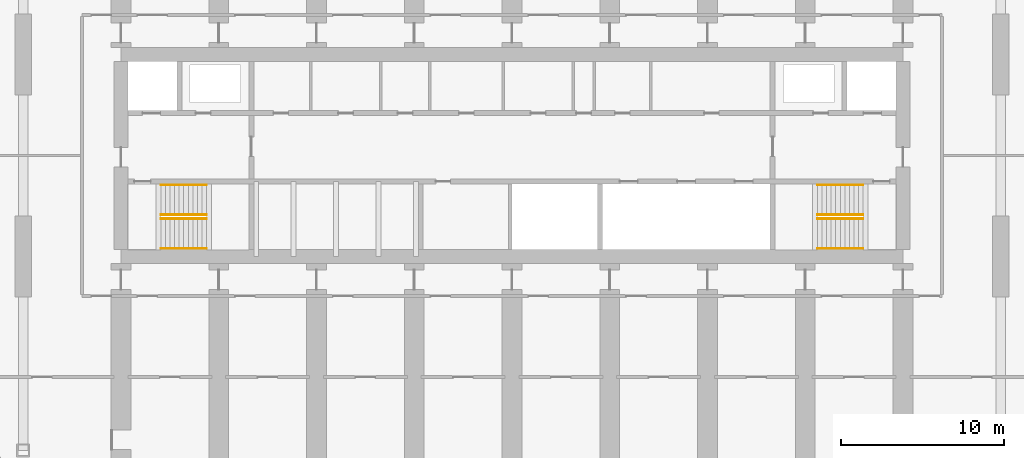
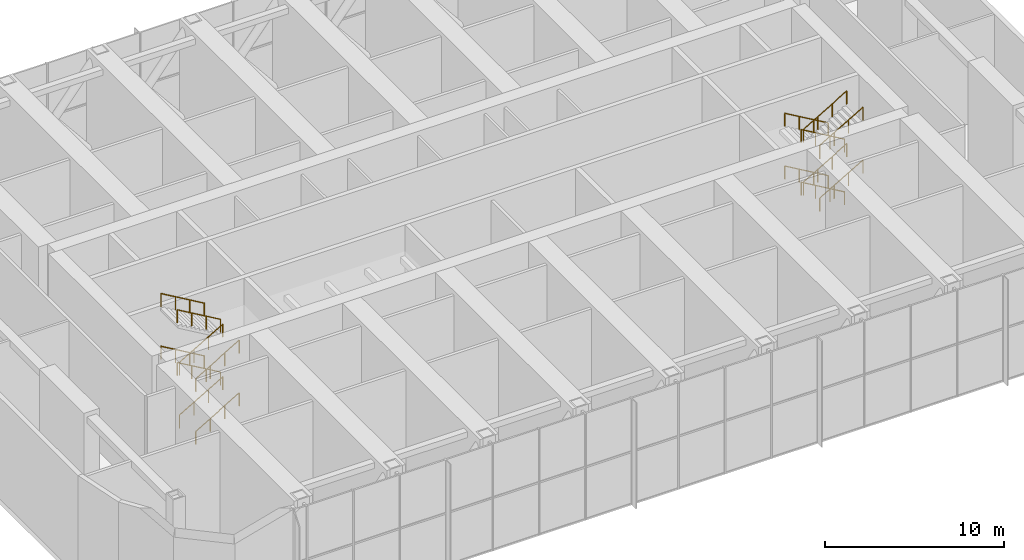
# One storey, part 22 of 22: 16 railings.
"""IFC4 building model written with IfcOpenShell, lengths in metres."""

from ifc_helpers import new_model, si_unit, direction, frame, origin, origin_2d, place, context, subcontext, project, spatial, circle, extrude, material, type_object, element, save


model = new_model("IFC4")

# Units and contexts
model_context = context("Model", 3, precision=1e-05, world=origin(), true_north=direction((0.0, 1.0)))
body_context = subcontext(model_context, "Body", "Model", "MODEL_VIEW")
ifc_project = project(units=[si_unit("LENGTHUNIT", "METRE"), si_unit("AREAUNIT", "SQUARE_METRE"), si_unit("VOLUMEUNIT", "CUBIC_METRE"), si_unit("PLANEANGLEUNIT", "RADIAN"), si_unit("MASSUNIT", "GRAM", prefix="KILO")], contexts=[model_context])

# Site, building, storey
site_placement = place(None, origin())
site = spatial("IfcSite", under=ifc_project, at=site_placement, CompositionType="ELEMENT")
building_placement = place(site_placement, origin())
building = spatial("IfcBuilding", under=site, at=building_placement, Name="Orbita Commons", CompositionType="ELEMENT")
storey_placement = place(building_placement, frame((0.0, 0.0, 201.10009765625)))
storey = spatial("IfcBuildingStorey", under=building, at=storey_placement, Name="L50", CompositionType="ELEMENT", Elevation=201.10009765625)

# Railings
ifc_material = material(Name="Steel tube, painted", Category="steel")
railing_type = type_object("IfcRailingType", Name="Stair handrail steel tube 900", PredefinedType="HANDRAIL", material=ifc_material)
for number, where, name in (
    (1, (20.449951171875, 28.114990234375, 0.16357421875), "Stair S1 handrail L50 flight 1"),
    (2, (20.449951171875, 26.284912109375, 0.16357421875), "Stair S1 handrail L50 flight 1"),
):
    element("IfcRailing", number, at=place(storey_placement, frame(where)), inside=storey, type_object=railing_type, Name=name, PredefinedType="HANDRAIL", context=body_context, shape_type="SweptSolid", body=[
        extrude(circle(Radius=0.02099609375, at=origin_2d()), frame((0.0, 0.0, 0.87890625), z_axis=(0.863393664356, 0.0, 0.504530851732), x_axis=(0.0, 1.0, 0.0)), (0.0, 0.0, 1.0), 3.2431640625),
        extrude(circle(Radius=0.02001953125, at=origin_2d()), origin(), (0.0, 0.0, 1.0), 0.85791015625),
        extrude(circle(Radius=0.02001953125, at=origin_2d()), frame((0.933349609375, 0.0, 0.54541015625)), (0.0, 0.0, 1.0), 0.85791015625),
        extrude(circle(Radius=0.02001953125, at=origin_2d()), frame((1.86669921875, 0.0, 1.0908203125)), (0.0, 0.0, 1.0), 0.85791015625),
        extrude(circle(Radius=0.02001953125, at=origin_2d()), frame((2.800048828125, 0.0, 1.63623046875)), (0.0, 0.0, 1.0), 0.85791015625),
    ])
for number, where, name in (
    (3, (23.25, 28.360107421875, 1.963623046875), "Stair S1 handrail L50 flight 2"),
    (4, (23.25, 30.18994140625, 1.963623046875), "Stair S1 handrail L50 flight 2"),
):
    element("IfcRailing", number, at=place(storey_placement, frame(where)), inside=storey, type_object=railing_type, Name=name, PredefinedType="HANDRAIL", context=body_context, shape_type="SweptSolid", body=[
        extrude(circle(Radius=0.02099609375, at=origin_2d()), frame((0.0, 0.0, 0.87890625), z_axis=(-0.863393664356, 0.0, 0.504530851732), x_axis=(0.0, -1.0, 0.0)), (0.0, 0.0, 1.0), 3.2431640625),
        extrude(circle(Radius=0.02001953125, at=origin_2d()), origin(), (0.0, 0.0, 1.0), 0.85791015625),
        extrude(circle(Radius=0.02001953125, at=origin_2d()), frame((-0.933349609375, 0.0, 0.54541015625)), (0.0, 0.0, 1.0), 0.85791015625),
        extrude(circle(Radius=0.02001953125, at=origin_2d()), frame((-1.86669921875, 0.0, 1.0908203125)), (0.0, 0.0, 1.0), 0.85791015625),
        extrude(circle(Radius=0.02001953125, at=origin_2d()), frame((-2.800048828125, 0.0, 1.63623046875)), (0.0, 0.0, 1.0), 0.85791015625),
    ])
for number, where, name in (
    (5, (20.449951171875, 28.114990234375, 3.763427734375), "Stair S1 handrail L50 flight 3"),
    (6, (20.449951171875, 26.284912109375, 3.763427734375), "Stair S1 handrail L50 flight 3"),
):
    element("IfcRailing", number, at=place(storey_placement, frame(where)), inside=storey, type_object=railing_type, Name=name, PredefinedType="HANDRAIL", context=body_context, shape_type="SweptSolid", body=[
        extrude(circle(Radius=0.02099609375, at=origin_2d()), frame((0.0, 0.0, 0.87890625), z_axis=(0.863360870873, 0.0, 0.504586966384), x_axis=(0.0, 1.0, 0.0)), (0.0, 0.0, 1.0), 3.2431640625),
        extrude(circle(Radius=0.02001953125, at=origin_2d()), origin(), (0.0, 0.0, 1.0), 0.85791015625),
        extrude(circle(Radius=0.02001953125, at=origin_2d()), frame((0.933349609375, 0.0, 0.54541015625)), (0.0, 0.0, 1.0), 0.85791015625),
        extrude(circle(Radius=0.02001953125, at=origin_2d()), frame((1.86669921875, 0.0, 1.091064453125)), (0.0, 0.0, 1.0), 0.85791015625),
        extrude(circle(Radius=0.02001953125, at=origin_2d()), frame((2.800048828125, 0.0, 1.636474609375)), (0.0, 0.0, 1.0), 0.85791015625),
    ])
for number, where, name in (
    (7, (23.25, 28.360107421875, 5.5634765625), "Stair S1 handrail L50 flight 4"),
    (8, (23.25, 30.18994140625, 5.5634765625), "Stair S1 handrail L50 flight 4"),
):
    element("IfcRailing", number, at=place(storey_placement, frame(where)), inside=storey, type_object=railing_type, Name=name, PredefinedType="HANDRAIL", context=body_context, shape_type="SweptSolid", body=[
        extrude(circle(Radius=0.02099609375, at=origin_2d()), frame((0.0, 0.0, 0.87890625), z_axis=(-0.863360870873, 0.0, 0.504586966384), x_axis=(0.0, -1.0, 0.0)), (0.0, 0.0, 1.0), 3.2431640625),
        extrude(circle(Radius=0.02001953125, at=origin_2d()), origin(), (0.0, 0.0, 1.0), 0.85791015625),
        extrude(circle(Radius=0.02001953125, at=origin_2d()), frame((-0.933349609375, 0.0, 0.54541015625)), (0.0, 0.0, 1.0), 0.85791015625),
        extrude(circle(Radius=0.02001953125, at=origin_2d()), frame((-1.86669921875, 0.0, 1.091064453125)), (0.0, 0.0, 1.0), 0.85791015625),
        extrude(circle(Radius=0.02001953125, at=origin_2d()), frame((-2.800048828125, 0.0, 1.636474609375)), (0.0, 0.0, 1.0), 0.85791015625),
    ])
for number, where, name in (
    (9, (63.550048828125, 28.360107421875, 0.16357421875), "Stair S2 handrail L50 flight 1"),
    (10, (63.550048828125, 30.18994140625, 0.16357421875), "Stair S2 handrail L50 flight 1"),
):
    element("IfcRailing", number, at=place(storey_placement, frame(where)), inside=storey, type_object=railing_type, Name=name, PredefinedType="HANDRAIL", context=body_context, shape_type="SweptSolid", body=[
        extrude(circle(Radius=0.02099609375, at=origin_2d()), frame((0.0, 0.0, 0.87890625), z_axis=(-0.863393664356, 0.0, 0.504530851732), x_axis=(0.0, -1.0, 0.0)), (0.0, 0.0, 1.0), 3.2431640625),
        extrude(circle(Radius=0.02001953125, at=origin_2d()), origin(), (0.0, 0.0, 1.0), 0.85791015625),
        extrude(circle(Radius=0.02001953125, at=origin_2d()), frame((-0.933349609375, 0.0, 0.54541015625)), (0.0, 0.0, 1.0), 0.85791015625),
        extrude(circle(Radius=0.02001953125, at=origin_2d()), frame((-1.86669921875, 0.0, 1.0908203125)), (0.0, 0.0, 1.0), 0.85791015625),
        extrude(circle(Radius=0.02001953125, at=origin_2d()), frame((-2.800048828125, 0.0, 1.63623046875)), (0.0, 0.0, 1.0), 0.85791015625),
    ])
for number, where, name in (
    (11, (60.75, 28.114990234375, 1.963623046875), "Stair S2 handrail L50 flight 2"),
    (12, (60.75, 26.284912109375, 1.963623046875), "Stair S2 handrail L50 flight 2"),
):
    element("IfcRailing", number, at=place(storey_placement, frame(where)), inside=storey, type_object=railing_type, Name=name, PredefinedType="HANDRAIL", context=body_context, shape_type="SweptSolid", body=[
        extrude(circle(Radius=0.02099609375, at=origin_2d()), frame((0.0, 0.0, 0.87890625), z_axis=(0.863393664356, 0.0, 0.504530851732), x_axis=(0.0, 1.0, 0.0)), (0.0, 0.0, 1.0), 3.2431640625),
        extrude(circle(Radius=0.02001953125, at=origin_2d()), origin(), (0.0, 0.0, 1.0), 0.85791015625),
        extrude(circle(Radius=0.02001953125, at=origin_2d()), frame((0.933349609375, 0.0, 0.54541015625)), (0.0, 0.0, 1.0), 0.85791015625),
        extrude(circle(Radius=0.02001953125, at=origin_2d()), frame((1.86669921875, 0.0, 1.0908203125)), (0.0, 0.0, 1.0), 0.85791015625),
        extrude(circle(Radius=0.02001953125, at=origin_2d()), frame((2.800048828125, 0.0, 1.63623046875)), (0.0, 0.0, 1.0), 0.85791015625),
    ])
for number, where, name in (
    (13, (63.550048828125, 28.360107421875, 3.763427734375), "Stair S2 handrail L50 flight 3"),
    (14, (63.550048828125, 30.18994140625, 3.763427734375), "Stair S2 handrail L50 flight 3"),
):
    element("IfcRailing", number, at=place(storey_placement, frame(where)), inside=storey, type_object=railing_type, Name=name, PredefinedType="HANDRAIL", context=body_context, shape_type="SweptSolid", body=[
        extrude(circle(Radius=0.02099609375, at=origin_2d()), frame((0.0, 0.0, 0.87890625), z_axis=(-0.863360870873, 0.0, 0.504586966384), x_axis=(0.0, -1.0, 0.0)), (0.0, 0.0, 1.0), 3.2431640625),
        extrude(circle(Radius=0.02001953125, at=origin_2d()), origin(), (0.0, 0.0, 1.0), 0.85791015625),
        extrude(circle(Radius=0.02001953125, at=origin_2d()), frame((-0.933349609375, 0.0, 0.54541015625)), (0.0, 0.0, 1.0), 0.85791015625),
        extrude(circle(Radius=0.02001953125, at=origin_2d()), frame((-1.86669921875, 0.0, 1.091064453125)), (0.0, 0.0, 1.0), 0.85791015625),
        extrude(circle(Radius=0.02001953125, at=origin_2d()), frame((-2.800048828125, 0.0, 1.636474609375)), (0.0, 0.0, 1.0), 0.85791015625),
    ])
for number, where, name in (
    (15, (60.75, 28.114990234375, 5.5634765625), "Stair S2 handrail L50 flight 4"),
    (16, (60.75, 26.284912109375, 5.5634765625), "Stair S2 handrail L50 flight 4"),
):
    element("IfcRailing", number, at=place(storey_placement, frame(where)), inside=storey, type_object=railing_type, Name=name, PredefinedType="HANDRAIL", context=body_context, shape_type="SweptSolid", body=[
        extrude(circle(Radius=0.02099609375, at=origin_2d()), frame((0.0, 0.0, 0.87890625), z_axis=(0.863360870873, 0.0, 0.504586966384), x_axis=(0.0, 1.0, 0.0)), (0.0, 0.0, 1.0), 3.2431640625),
        extrude(circle(Radius=0.02001953125, at=origin_2d()), origin(), (0.0, 0.0, 1.0), 0.85791015625),
        extrude(circle(Radius=0.02001953125, at=origin_2d()), frame((0.933349609375, 0.0, 0.54541015625)), (0.0, 0.0, 1.0), 0.85791015625),
        extrude(circle(Radius=0.02001953125, at=origin_2d()), frame((1.86669921875, 0.0, 1.091064453125)), (0.0, 0.0, 1.0), 0.85791015625),
        extrude(circle(Radius=0.02001953125, at=origin_2d()), frame((2.800048828125, 0.0, 1.636474609375)), (0.0, 0.0, 1.0), 0.85791015625),
    ])

save(model, "model.ifc")
